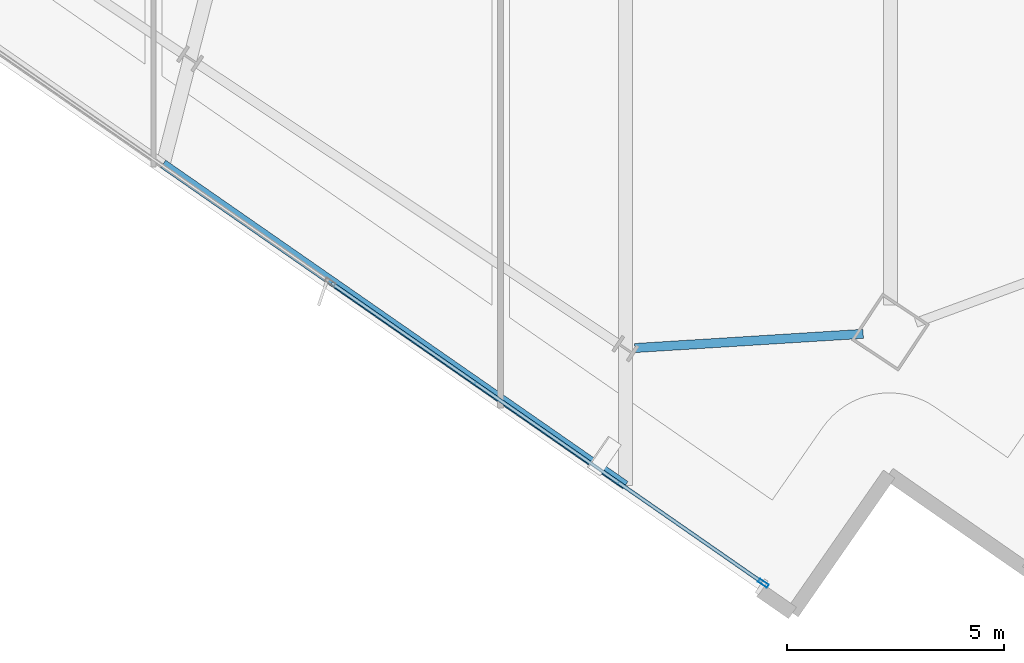
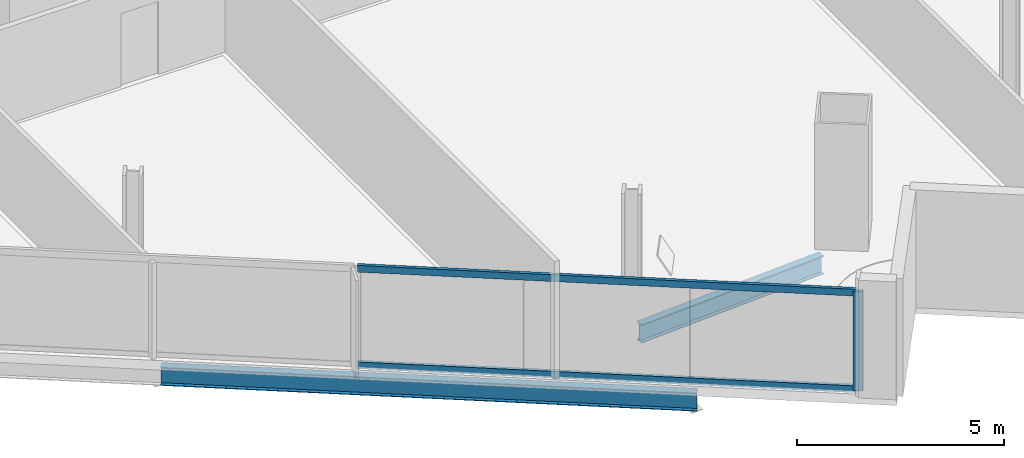
# One storey, part 3 of 30: 3 members, 2 beams, 1 element without a shape of its own.
"""IFC4 building model written with IfcOpenShell, lengths in metres."""

from ifc_helpers import new_model, si_unit, direction, frame, origin, origin_2d, place, context, subcontext, project, spatial, hollow_rectangle, i_section, extrude, material, material_profile, profile_set, type_object, element, aggregate, save


model = new_model("IFC4")

# Units and contexts
model_context = context("Model", 3, precision=1e-05, world=origin(), true_north=direction((0.0, 1.0)))
body_context = subcontext(model_context, "Body", "Model", "MODEL_VIEW")
ifc_project = project(units=[si_unit("LENGTHUNIT", "METRE"), si_unit("AREAUNIT", "SQUARE_METRE"), si_unit("VOLUMEUNIT", "CUBIC_METRE"), si_unit("PLANEANGLEUNIT", "RADIAN"), si_unit("MASSUNIT", "GRAM", prefix="KILO")], contexts=[model_context])

# Site, building, storey
site_placement = place(None, origin())
site = spatial("IfcSite", under=ifc_project, at=site_placement, CompositionType="ELEMENT")
building_placement = place(site_placement, origin())
building = spatial("IfcBuilding", under=site, at=building_placement, Name="Haldenkirk Collegiate Tower", CompositionType="ELEMENT")
storey_placement = place(building_placement, frame((0.0, 0.0, 213.449951171875)))
storey = spatial("IfcBuildingStorey", under=building, at=storey_placement, Name="L53", CompositionType="ELEMENT", Elevation=213.449951171875)

# Beams
ifc_material_1 = material(Name="Steel ASTM A992 Grade 50", Category="steel")
ifc_material_profile_1 = material_profile(ifc_material_1, i_section(OverallWidth=0.2099609375, OverallDepth=0.537109375, WebThickness=0.010986328125, FlangeThickness=0.017333984375, at=origin_2d()), Name="W21X68")
ifc_profile_set_1 = profile_set([ifc_material_profile_1], Name="Steel ASTM A992 Grade 50")
beam_type = type_object("IfcBeamType", Name="BM-SPANDREL-W21X68", PredefinedType="SPANDREL", material=ifc_profile_set_1)
beam_1_placement = place(storey_placement, frame((34.59326171875, 0.966064453125, -0.54833984375), z_axis=(0.99806607268, 0.062162002577, 0.0), x_axis=(-0.062162002577, 0.99806607268, 0.0)))
element("IfcBeam", 1, at=beam_1_placement, inside=storey, type_object=beam_type, Name="L53 perimeter spandrel beam 16", PredefinedType="SPANDREL", context=body_context, shape_type="SweptSolid", body=[
    extrude(i_section(OverallWidth=0.2099609375, OverallDepth=0.537109375, WebThickness=0.010986328125, FlangeThickness=0.017333984375, at=origin_2d()), origin(), (0.0, 0.0, 1.0), 5.270751953125),
])
beam_2_placement = place(storey_placement, frame((23.722412109375, 5.20849609375, -0.54833984375), z_axis=(0.821145594793, -0.570718768004, 0.0), x_axis=(0.570718768004, 0.821145594793, 0.0)))
element("IfcBeam", 2, at=beam_2_placement, inside=storey, type_object=beam_type, Name="L53 outer facade edge beam 4B", PredefinedType="SPANDREL", context=body_context, shape_type="SweptSolid", body=[
    extrude(i_section(OverallWidth=0.2099609375, OverallDepth=0.537109375, WebThickness=0.010986328125, FlangeThickness=0.017333984375, at=origin_2d()), origin(), (0.0, 0.0, 1.0), 12.974853515625),
])

# Curtain wall, members
ifc_material_2 = material(Name="Anodised architectural bronze aluminium", Category="aluminium")
curtain_wall_type = type_object("IfcCurtainWallType", Name="CW-SYS1B-CONVEX-HI", PredefinedType="USERDEFINED", material=ifc_material_2)
curtain_wall_placement = place(storey_placement, origin())
curtain_wall = element("IfcCurtainWall", 3, at=curtain_wall_placement, inside=storey, type_object=curtain_wall_type, Name="L53 Upper tower high-wind convex bronze unitised curtain wall", ObjectType="UNITISED CURTAIN WALL", PredefinedType="USERDEFINED")
ifc_material_profile_2 = material_profile(ifc_material_2, hollow_rectangle(XDim=0.0849609375, YDim=0.25, WallThickness=0.0048828125, at=origin_2d()), Name="CW-MUL-1B")
ifc_profile_set_2 = profile_set([ifc_material_profile_2], Name="Anodised architectural bronze aluminium")
member_type_1 = type_object("IfcMemberType", Name="CW-MUL-1B", PredefinedType="MULLION", material=ifc_profile_set_2)
member_1_placement = place(storey_placement, frame((37.554931640625, -4.454345703125, 0.0), z_axis=(0.0, 0.0, 1.0), x_axis=(-0.570714605919, -0.821148487541, 0.0)))
member_1 = element("IfcMember", 4, at=member_1_placement, type_object=member_type_1, Name="CW-1B mullion 1", PredefinedType="MULLION", context=body_context, shape_type="SweptSolid", body=[
    extrude(hollow_rectangle(XDim=0.0849609375, YDim=0.25, WallThickness=0.0048828125, at=origin_2d()), origin(), (0.0, 0.0, 1.0), 2.927978515625),
])
ifc_material_profile_3 = material_profile(ifc_material_2, hollow_rectangle(XDim=0.0849609375, YDim=0.199951171875, WallThickness=0.0048828125, at=origin_2d()), Name="CW-TRN-1B")
ifc_profile_set_3 = profile_set([ifc_material_profile_3], Name="Anodised architectural bronze aluminium")
member_type_2 = type_object("IfcMemberType", Name="CW-TRN-1B", PredefinedType="USERDEFINED", material=ifc_profile_set_3)
member_2_placement = place(storey_placement, frame((37.52001953125, -4.429931640625, 0.04248046875), z_axis=(-0.821151201015, 0.570710701732, 0.0), x_axis=(-0.570710701732, -0.821151201015, 0.0)))
member_2 = element("IfcMember", 5, at=member_2_placement, type_object=member_type_2, Name="CW-1B transom 1.1", ObjectType="TRANSOM", PredefinedType="USERDEFINED", context=body_context, shape_type="SweptSolid", body=[
    extrude(hollow_rectangle(XDim=0.0849609375, YDim=0.199951171875, WallThickness=0.0048828125, at=origin_2d()), origin(), (0.0, 0.0, 1.0), 12.072509765625),
])
member_3_placement = place(storey_placement, frame((37.52001953125, -4.429931640625, 2.885498046875), z_axis=(-0.821151201015, 0.570710701732, 0.0), x_axis=(-0.570710701732, -0.821151201015, 0.0)))
member_3 = element("IfcMember", 6, at=member_3_placement, type_object=member_type_2, Name="CW-1B transom 1.2", ObjectType="TRANSOM", PredefinedType="USERDEFINED", context=body_context, shape_type="SweptSolid", body=[
    extrude(hollow_rectangle(XDim=0.0849609375, YDim=0.199951171875, WallThickness=0.0048828125, at=origin_2d()), origin(), (0.0, 0.0, 1.0), 12.072509765625),
])
aggregate(curtain_wall, [member_1, member_2, member_3])

save(model, "model.ifc")
